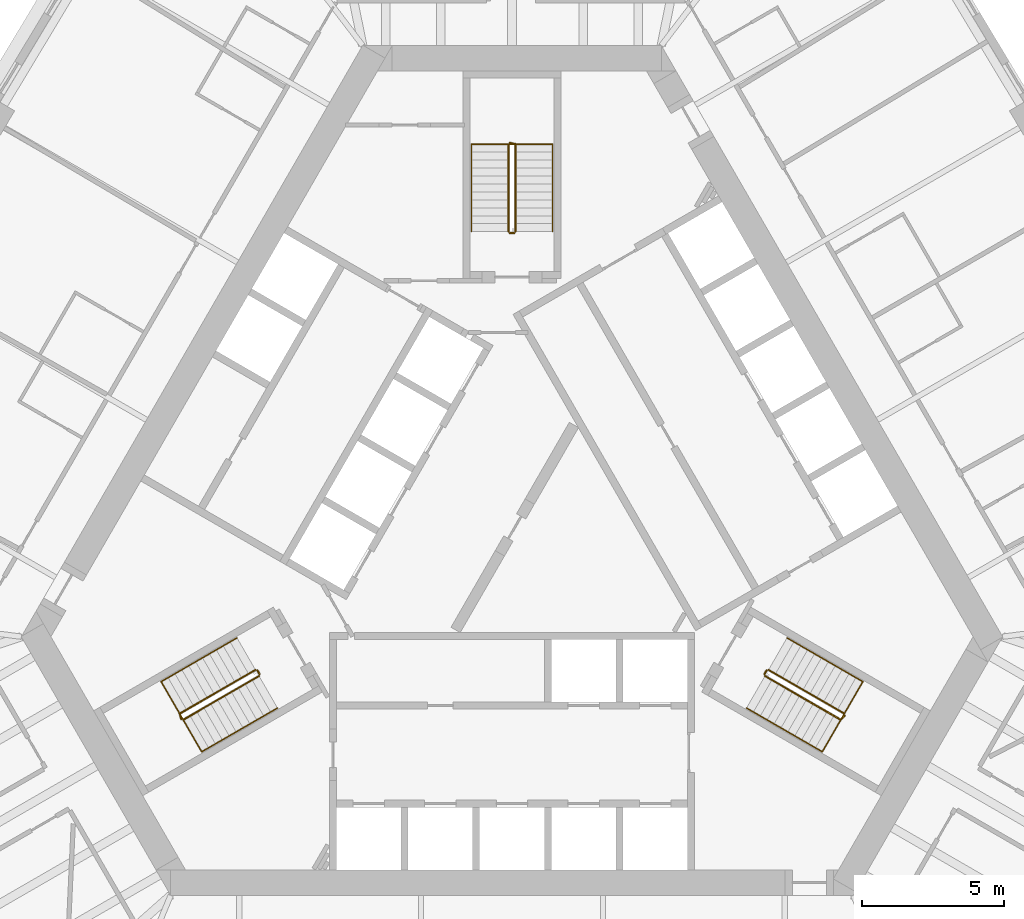
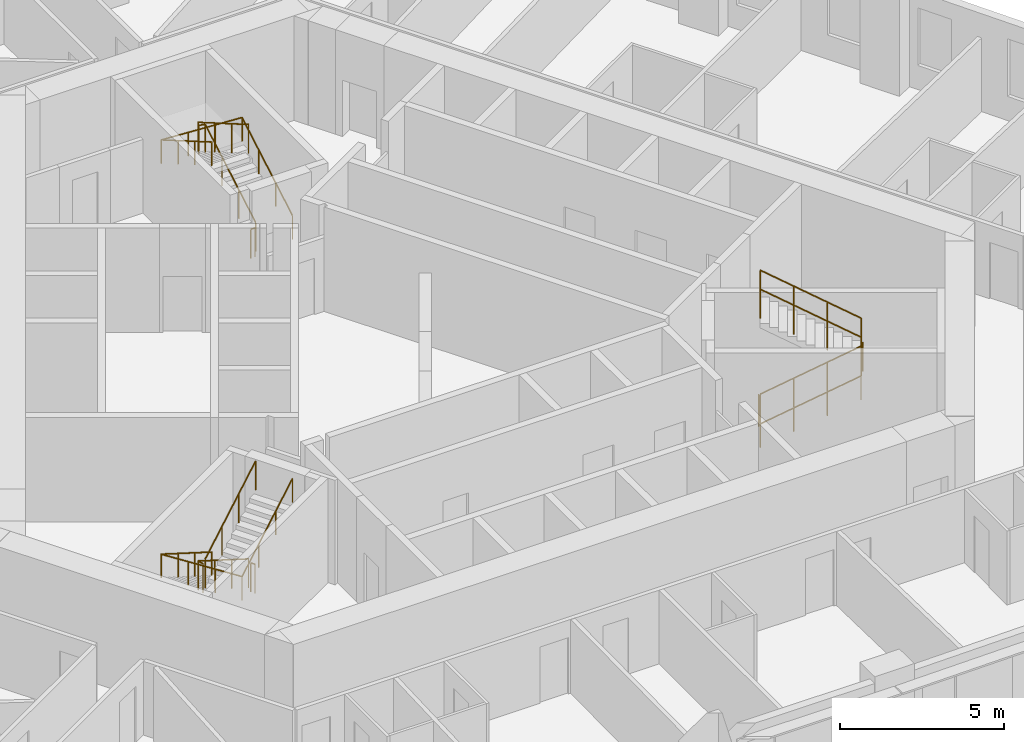
# One storey, part 13 of 13: 12 railings.
"""IFC4 building model written with IfcOpenShell, lengths in metres."""

from ifc_helpers import new_model, si_unit, direction, frame, origin, origin_2d, place, context, subcontext, project, spatial, circle, extrude, material, type_object, element, save


model = new_model("IFC4")

# Units and contexts
model_context = context("Model", 3, precision=1e-05, world=origin(), true_north=direction((0.0, 1.0)))
body_context = subcontext(model_context, "Body", "Model", "MODEL_VIEW")
ifc_project = project(units=[si_unit("LENGTHUNIT", "METRE"), si_unit("AREAUNIT", "SQUARE_METRE"), si_unit("VOLUMEUNIT", "CUBIC_METRE"), si_unit("PLANEANGLEUNIT", "RADIAN"), si_unit("MASSUNIT", "GRAM", prefix="KILO")], contexts=[model_context])

# Site, building, storey
site_placement = place(None, origin())
site = spatial("IfcSite", under=ifc_project, at=site_placement, CompositionType="ELEMENT")
building_placement = place(site_placement, origin())
building = spatial("IfcBuilding", under=site, at=building_placement, Name="Mestral Congress Tower", CompositionType="ELEMENT")
storey_placement = place(building_placement, frame((0.0, 0.0, 31.5)))
storey = spatial("IfcBuildingStorey", under=building, at=storey_placement, Name="L06", CompositionType="ELEMENT", Elevation=31.5)

# Railings
ifc_material_1 = material(Name="Steel balustrade", Category="steel")
railing_type_1 = type_object("IfcRailingType", Name="Stair guard 1100", PredefinedType="GUARDRAIL", material=ifc_material_1)
railing_1_placement = place(storey_placement, frame((8.90087890625, -5.283203125, 0.16259765625)))
element("IfcRailing", 1, at=railing_1_placement, inside=storey, type_object=railing_type_1, Name="L06 ST1 stair guard 1", PredefinedType="GUARDRAIL", context=body_context, shape_type="SweptSolid", body=[
    extrude(circle(Radius=0.02392578125, at=origin_2d()), frame((0.0, 0.0, 1.076171875), z_axis=(0.749019742845, -0.432477486304, 0.501928927906), x_axis=(0.500026652407, 0.866010015463, 0.0)), (0.0, 0.0, 1.0), 3.56103515625),
    extrude(circle(Radius=0.02392578125, at=origin_2d()), frame((2.667236328125, -1.5400390625, 2.86328125), z_axis=(0.695164929852, 0.718850276695, 0.0), x_axis=(-0.718850276695, 0.695164929852, 0.0)), (0.0, 0.0, 1.0), 0.2060546875),
    extrude(circle(Radius=0.02099609375, at=origin_2d()), origin(), (0.0, 0.0, 1.0), 1.052001953125),
    extrude(circle(Radius=0.02099609375, at=origin_2d()), frame((0.88916015625, -0.513427734375, 0.595703125)), (0.0, 0.0, 1.0), 1.052001953125),
    extrude(circle(Radius=0.02099609375, at=origin_2d()), frame((1.778076171875, -1.026611328125, 1.191650390625)), (0.0, 0.0, 1.0), 1.052001953125),
    extrude(circle(Radius=0.02099609375, at=origin_2d()), frame((2.667236328125, -1.5400390625, 1.787353515625)), (0.0, 0.0, 1.0), 1.052001953125),
    extrude(circle(Radius=0.02099609375, at=origin_2d()), frame((2.810546875, -1.391845703125, 1.787353515625)), (0.0, 0.0, 1.0), 1.052001953125),
])
railing_2_placement = place(storey_placement, frame((11.693115234375, -6.606689453125, 2.112548828125)))
element("IfcRailing", 2, at=railing_2_placement, inside=storey, type_object=railing_type_1, Name="L06 ST1 stair guard 2", PredefinedType="GUARDRAIL", context=body_context, shape_type="SweptSolid", body=[
    extrude(circle(Radius=0.02392578125, at=origin_2d()), frame((0.0, 0.0, 1.076171875), z_axis=(-0.749019742845, 0.432477486304, 0.501928927906), x_axis=(-0.500026652407, -0.866010015463, 0.0)), (0.0, 0.0, 1.0), 3.56103515625),
    extrude(circle(Radius=0.02099609375, at=origin_2d()), origin(), (0.0, 0.0, 1.0), 1.052001953125),
    extrude(circle(Radius=0.02099609375, at=origin_2d()), frame((-0.88916015625, 0.513427734375, 0.595703125)), (0.0, 0.0, 1.0), 1.052001953125),
    extrude(circle(Radius=0.02099609375, at=origin_2d()), frame((-1.778076171875, 1.026611328125, 1.191650390625)), (0.0, 0.0, 1.0), 1.052001953125),
    extrude(circle(Radius=0.02099609375, at=origin_2d()), frame((-2.667236328125, 1.5400390625, 1.787353515625)), (0.0, 0.0, 1.0), 1.052001953125),
])
railing_3_placement = place(storey_placement, frame((8.882568359375, -5.21484375, 0.0)))
element("IfcRailing", 3, at=railing_3_placement, inside=storey, type_object=railing_type_1, Name="L06 ST1 stair guard 3", PredefinedType="GUARDRAIL", context=body_context, shape_type="SweptSolid", body=[
    extrude(circle(Radius=0.02392578125, at=origin_2d()), frame((0.0, 0.0, 1.076171875), z_axis=(0.499816412211, 0.866131372301, 0.0), x_axis=(-0.866131372301, 0.499816412211, 0.0)), (0.0, 0.0, 1.0), 0.14990234375),
    extrude(circle(Radius=0.02099609375, at=origin_2d()), origin(), (0.0, 0.0, 1.0), 1.052001953125),
    extrude(circle(Radius=0.02099609375, at=origin_2d()), frame((0.074951171875, 0.1298828125, 0.0)), (0.0, 0.0, 1.0), 1.052001953125),
])
railing_4_placement = place(storey_placement, frame((0.125, 10.35009765625, 0.16259765625)))
element("IfcRailing", 4, at=railing_4_placement, inside=storey, type_object=railing_type_1, Name="L06 ST2 stair guard 1", PredefinedType="GUARDRAIL", context=body_context, shape_type="SweptSolid", body=[
    extrude(circle(Radius=0.02392578125, at=origin_2d()), frame((0.0, 0.0, 1.076171875), z_axis=(0.0, 0.864903211148, 0.501938676878), x_axis=(-1.0, 0.0, 0.0)), (0.0, 0.0, 1.0), 3.560791015625),
    extrude(circle(Radius=0.02392578125, at=origin_2d()), frame((0.0, 3.079833984375, 2.86328125), z_axis=(-0.970072785993, 0.242814311512, 0.0), x_axis=(-0.242814311512, -0.970072785993, 0.0)), (0.0, 0.0, 1.0), 0.2060546875),
    extrude(circle(Radius=0.02099609375, at=origin_2d()), origin(), (0.0, 0.0, 1.0), 1.052001953125),
    extrude(circle(Radius=0.02099609375, at=origin_2d()), frame((0.0, 1.026611328125, 0.595703125)), (0.0, 0.0, 1.0), 1.052001953125),
    extrude(circle(Radius=0.02099609375, at=origin_2d()), frame((0.0, 2.05322265625, 1.191650390625)), (0.0, 0.0, 1.0), 1.052001953125),
    extrude(circle(Radius=0.02099609375, at=origin_2d()), frame((0.0, 3.079833984375, 1.787353515625)), (0.0, 0.0, 1.0), 1.052001953125),
    extrude(circle(Radius=0.02099609375, at=origin_2d()), frame((-0.199951171875, 3.1298828125, 1.787353515625)), (0.0, 0.0, 1.0), 1.052001953125),
])
railing_5_placement = place(storey_placement, frame((-0.125, 13.429931640625, 2.112548828125)))
element("IfcRailing", 5, at=railing_5_placement, inside=storey, type_object=railing_type_1, Name="L06 ST2 stair guard 2", PredefinedType="GUARDRAIL", context=body_context, shape_type="SweptSolid", body=[
    extrude(circle(Radius=0.02392578125, at=origin_2d()), frame((0.0, 0.0, 1.076171875), z_axis=(0.0, -0.864903211148, 0.501938676878), x_axis=(1.0, 0.0, 0.0)), (0.0, 0.0, 1.0), 3.560791015625),
    extrude(circle(Radius=0.02099609375, at=origin_2d()), origin(), (0.0, 0.0, 1.0), 1.052001953125),
    extrude(circle(Radius=0.02099609375, at=origin_2d()), frame((0.0, -1.026611328125, 0.595703125)), (0.0, 0.0, 1.0), 1.052001953125),
    extrude(circle(Radius=0.02099609375, at=origin_2d()), frame((0.0, -2.05322265625, 1.191650390625)), (0.0, 0.0, 1.0), 1.052001953125),
    extrude(circle(Radius=0.02099609375, at=origin_2d()), frame((0.0, -3.079833984375, 1.787353515625)), (0.0, 0.0, 1.0), 1.052001953125),
])
railing_6_placement = place(storey_placement, frame((0.074951171875, 10.300048828125, 0.0)))
element("IfcRailing", 6, at=railing_6_placement, inside=storey, type_object=railing_type_1, Name="L06 ST2 stair guard 3", PredefinedType="GUARDRAIL", context=body_context, shape_type="SweptSolid", body=[
    extrude(circle(Radius=0.02392578125, at=origin_2d()), frame((0.0, 0.0, 1.076171875), z_axis=(-1.0, 0.0, 0.0), x_axis=(0.0, -1.0, 0.0)), (0.0, 0.0, 1.0), 0.14990234375),
    extrude(circle(Radius=0.02099609375, at=origin_2d()), origin(), (0.0, 0.0, 1.0), 1.052001953125),
    extrude(circle(Radius=0.02099609375, at=origin_2d()), frame((-0.14990234375, 0.0, 0.0)), (0.0, 0.0, 1.0), 1.052001953125),
])
railing_7_placement = place(storey_placement, frame((-9.02587890625, -5.066650390625, 0.16259765625)))
element("IfcRailing", 7, at=railing_7_placement, inside=storey, type_object=railing_type_1, Name="L06 ST3 stair guard 1", PredefinedType="GUARDRAIL", context=body_context, shape_type="SweptSolid", body=[
    extrude(circle(Radius=0.02392578125, at=origin_2d()), frame((0.0, 0.0, 1.076171875), z_axis=(-0.749019742845, -0.432477486304, 0.501928927906), x_axis=(0.500026652407, -0.866010015463, 0.0)), (0.0, 0.0, 1.0), 3.56103515625),
    extrude(circle(Radius=0.02392578125, at=origin_2d()), frame((-2.667236328125, -1.5400390625, 2.86328125), z_axis=(0.274721127897, -0.961523947641, 0.0), x_axis=(0.961523947641, 0.274721127897, 0.0)), (0.0, 0.0, 1.0), 0.2060546875),
    extrude(circle(Radius=0.02099609375, at=origin_2d()), origin(), (0.0, 0.0, 1.0), 1.052001953125),
    extrude(circle(Radius=0.02099609375, at=origin_2d()), frame((-0.88916015625, -0.513427734375, 0.595703125)), (0.0, 0.0, 1.0), 1.052001953125),
    extrude(circle(Radius=0.02099609375, at=origin_2d()), frame((-1.778076171875, -1.026611328125, 1.191650390625)), (0.0, 0.0, 1.0), 1.052001953125),
    extrude(circle(Radius=0.02099609375, at=origin_2d()), frame((-2.667236328125, -1.5400390625, 1.787353515625)), (0.0, 0.0, 1.0), 1.052001953125),
    extrude(circle(Radius=0.02099609375, at=origin_2d()), frame((-2.610595703125, -1.73828125, 1.787353515625)), (0.0, 0.0, 1.0), 1.052001953125),
])
railing_8_placement = place(storey_placement, frame((-11.568115234375, -6.8232421875, 2.112548828125)))
element("IfcRailing", 8, at=railing_8_placement, inside=storey, type_object=railing_type_1, Name="L06 ST3 stair guard 2", PredefinedType="GUARDRAIL", context=body_context, shape_type="SweptSolid", body=[
    extrude(circle(Radius=0.02392578125, at=origin_2d()), frame((0.0, 0.0, 1.076171875), z_axis=(0.749019742845, 0.432477486304, 0.501928927906), x_axis=(-0.500026652407, 0.866010015463, 0.0)), (0.0, 0.0, 1.0), 3.56103515625),
    extrude(circle(Radius=0.02099609375, at=origin_2d()), origin(), (0.0, 0.0, 1.0), 1.052001953125),
    extrude(circle(Radius=0.02099609375, at=origin_2d()), frame((0.88916015625, 0.513427734375, 0.595703125)), (0.0, 0.0, 1.0), 1.052001953125),
    extrude(circle(Radius=0.02099609375, at=origin_2d()), frame((1.778076171875, 1.026611328125, 1.191650390625)), (0.0, 0.0, 1.0), 1.052001953125),
    extrude(circle(Radius=0.02099609375, at=origin_2d()), frame((2.667236328125, 1.5400390625, 1.787353515625)), (0.0, 0.0, 1.0), 1.052001953125),
])
railing_9_placement = place(storey_placement, frame((-8.95751953125, -5.0849609375, 0.0)))
element("IfcRailing", 9, at=railing_9_placement, inside=storey, type_object=railing_type_1, Name="L06 ST3 stair guard 3", PredefinedType="GUARDRAIL", context=body_context, shape_type="SweptSolid", body=[
    extrude(circle(Radius=0.02392578125, at=origin_2d()), frame((0.0, 0.0, 1.076171875), z_axis=(0.499816412211, -0.866131372301, 0.0), x_axis=(0.866131372301, 0.499816412211, 0.0)), (0.0, 0.0, 1.0), 0.14990234375),
    extrude(circle(Radius=0.02099609375, at=origin_2d()), origin(), (0.0, 0.0, 1.0), 1.052001953125),
    extrude(circle(Radius=0.02099609375, at=origin_2d()), frame((0.074951171875, -0.1298828125, 0.0)), (0.0, 0.0, 1.0), 1.052001953125),
])
ifc_material_2 = material(Name="Steel handrail", Category="steel")
railing_type_2 = type_object("IfcRailingType", Name="Stair handrail 900", PredefinedType="HANDRAIL", material=ifc_material_2)
railing_10_placement = place(storey_placement, frame((8.2509765625, -6.4091796875, 0.16259765625)))
element("IfcRailing", 10, at=railing_10_placement, inside=storey, type_object=railing_type_2, Name="L06 ST1 stair handrail 1", PredefinedType="HANDRAIL", context=body_context, shape_type="SweptSolid", body=[
    extrude(circle(Radius=0.02392578125, at=origin_2d()), frame((0.0, 0.0, 0.8759765625), z_axis=(0.749041951051, -0.432421746936, 0.501943809945), x_axis=(0.499967199496, 0.866044340336, 0.0)), (0.0, 0.0, 1.0), 3.560791015625),
    extrude(circle(Radius=0.02392578125, at=origin_2d()), frame((2.667236328125, -1.539794921875, 2.6630859375), z_axis=(0.499224505807, 0.864598343191, 0.056961370716), x_axis=(-0.866004402611, 0.500036373335, 0.0)), (0.0, 0.0, 1.0), 2.8544921875),
    extrude(circle(Radius=0.02392578125, at=origin_2d()), frame((4.09228515625, 0.92822265625, 2.82568359375), z_axis=(-0.749049836341, 0.432455278019, 0.501903153199), x_axis=(-0.499992328818, -0.866029832698, 0.0)), (0.0, 0.0, 1.0), 3.56103515625),
    extrude(circle(Radius=0.02099609375, at=origin_2d()), origin(), (0.0, 0.0, 1.0), 0.851806640625),
    extrude(circle(Radius=0.02099609375, at=origin_2d()), frame((0.88916015625, -0.51318359375, 0.595703125)), (0.0, 0.0, 1.0), 0.851806640625),
    extrude(circle(Radius=0.02099609375, at=origin_2d()), frame((1.778076171875, -1.026611328125, 1.191650390625)), (0.0, 0.0, 1.0), 0.851806640625),
    extrude(circle(Radius=0.02099609375, at=origin_2d()), frame((2.667236328125, -1.539794921875, 1.787353515625)), (0.0, 0.0, 1.0), 0.851806640625),
    extrude(circle(Radius=0.02099609375, at=origin_2d()), frame((3.142333984375, -0.717041015625, 1.841552734375)), (0.0, 0.0, 1.0), 0.851806640625),
    extrude(circle(Radius=0.02099609375, at=origin_2d()), frame((3.6171875, 0.10546875, 1.895751953125)), (0.0, 0.0, 1.0), 0.851806640625),
    extrude(circle(Radius=0.02099609375, at=origin_2d()), frame((4.09228515625, 0.92822265625, 1.949951171875)), (0.0, 0.0, 1.0), 0.851806640625),
    extrude(circle(Radius=0.02099609375, at=origin_2d()), frame((3.203125, 1.441650390625, 2.545654296875)), (0.0, 0.0, 1.0), 0.851806640625),
    extrude(circle(Radius=0.02099609375, at=origin_2d()), frame((2.31396484375, 1.954833984375, 3.1416015625)), (0.0, 0.0, 1.0), 0.851806640625),
    extrude(circle(Radius=0.02099609375, at=origin_2d()), frame((1.4248046875, 2.46826171875, 3.7373046875)), (0.0, 0.0, 1.0), 0.851806640625),
])
railing_11_placement = place(storey_placement, frame((1.425048828125, 10.35009765625, 0.16259765625)))
element("IfcRailing", 11, at=railing_11_placement, inside=storey, type_object=railing_type_2, Name="L06 ST2 stair handrail 1", PredefinedType="HANDRAIL", context=body_context, shape_type="SweptSolid", body=[
    extrude(circle(Radius=0.02392578125, at=origin_2d()), frame((0.0, 0.0, 0.8759765625), z_axis=(0.0, 0.864903211148, 0.501938676878), x_axis=(-1.0, 0.0, 0.0)), (0.0, 0.0, 1.0), 3.560791015625),
    extrude(circle(Radius=0.02392578125, at=origin_2d()), frame((0.0, 3.079833984375, 2.6630859375), z_axis=(-0.998376618682, 0.0, 0.056957240709), x_axis=(0.0, -1.0, 0.0)), (0.0, 0.0, 1.0), 2.854736328125),
    extrude(circle(Radius=0.02392578125, at=origin_2d()), frame((-2.85009765625, 3.079833984375, 2.82568359375), z_axis=(0.0, -0.864903211148, 0.501938676878), x_axis=(1.0, 0.0, 0.0)), (0.0, 0.0, 1.0), 3.560791015625),
    extrude(circle(Radius=0.02099609375, at=origin_2d()), origin(), (0.0, 0.0, 1.0), 0.851806640625),
    extrude(circle(Radius=0.02099609375, at=origin_2d()), frame((0.0, 1.026611328125, 0.595703125)), (0.0, 0.0, 1.0), 0.851806640625),
    extrude(circle(Radius=0.02099609375, at=origin_2d()), frame((0.0, 2.05322265625, 1.191650390625)), (0.0, 0.0, 1.0), 0.851806640625),
    extrude(circle(Radius=0.02099609375, at=origin_2d()), frame((0.0, 3.079833984375, 1.787353515625)), (0.0, 0.0, 1.0), 0.851806640625),
    extrude(circle(Radius=0.02099609375, at=origin_2d()), frame((-0.949951171875, 3.079833984375, 1.841552734375)), (0.0, 0.0, 1.0), 0.851806640625),
    extrude(circle(Radius=0.02099609375, at=origin_2d()), frame((-1.900146484375, 3.079833984375, 1.895751953125)), (0.0, 0.0, 1.0), 0.851806640625),
    extrude(circle(Radius=0.02099609375, at=origin_2d()), frame((-2.85009765625, 3.079833984375, 1.949951171875)), (0.0, 0.0, 1.0), 0.851806640625),
    extrude(circle(Radius=0.02099609375, at=origin_2d()), frame((-2.85009765625, 2.05322265625, 2.545654296875)), (0.0, 0.0, 1.0), 0.851806640625),
    extrude(circle(Radius=0.02099609375, at=origin_2d()), frame((-2.85009765625, 1.026611328125, 3.1416015625)), (0.0, 0.0, 1.0), 0.851806640625),
    extrude(circle(Radius=0.02099609375, at=origin_2d()), frame((-2.85009765625, 0.0, 3.7373046875)), (0.0, 0.0, 1.0), 0.851806640625),
])
railing_12_placement = place(storey_placement, frame((-9.67578125, -3.94091796875, 0.16259765625)))
element("IfcRailing", 12, at=railing_12_placement, inside=storey, type_object=railing_type_2, Name="L06 ST3 stair handrail 1", PredefinedType="HANDRAIL", context=body_context, shape_type="SweptSolid", body=[
    extrude(circle(Radius=0.02392578125, at=origin_2d()), frame((0.0, 0.0, 0.8759765625), z_axis=(-0.749049836341, -0.432455278019, 0.501903153199), x_axis=(0.499992328818, -0.866029832698, 0.0)), (0.0, 0.0, 1.0), 3.56103515625),
    extrude(circle(Radius=0.02392578125, at=origin_2d()), frame((-2.66748046875, -1.5400390625, 2.6630859375), z_axis=(0.499224505807, -0.864598343191, 0.056961370716), x_axis=(0.866004402611, 0.500036373335, 0.0)), (0.0, 0.0, 1.0), 2.8544921875),
    extrude(circle(Radius=0.02392578125, at=origin_2d()), frame((-1.242431640625, -4.008056640625, 2.82568359375), z_axis=(0.749041951051, 0.432421746936, 0.501943809945), x_axis=(-0.499967199496, 0.866044340336, 0.0)), (0.0, 0.0, 1.0), 3.560791015625),
    extrude(circle(Radius=0.02099609375, at=origin_2d()), origin(), (0.0, 0.0, 1.0), 0.851806640625),
    extrude(circle(Radius=0.02099609375, at=origin_2d()), frame((-0.88916015625, -0.513427734375, 0.595703125)), (0.0, 0.0, 1.0), 0.851806640625),
    extrude(circle(Radius=0.02099609375, at=origin_2d()), frame((-1.7783203125, -1.026611328125, 1.191650390625)), (0.0, 0.0, 1.0), 0.851806640625),
    extrude(circle(Radius=0.02099609375, at=origin_2d()), frame((-2.66748046875, -1.5400390625, 1.787353515625)), (0.0, 0.0, 1.0), 0.851806640625),
    extrude(circle(Radius=0.02099609375, at=origin_2d()), frame((-2.1923828125, -2.36279296875, 1.841552734375)), (0.0, 0.0, 1.0), 0.851806640625),
    extrude(circle(Radius=0.02099609375, at=origin_2d()), frame((-1.717529296875, -3.185302734375, 1.895751953125)), (0.0, 0.0, 1.0), 0.851806640625),
    extrude(circle(Radius=0.02099609375, at=origin_2d()), frame((-1.242431640625, -4.008056640625, 1.949951171875)), (0.0, 0.0, 1.0), 0.851806640625),
    extrude(circle(Radius=0.02099609375, at=origin_2d()), frame((-0.353271484375, -3.494873046875, 2.545654296875)), (0.0, 0.0, 1.0), 0.851806640625),
    extrude(circle(Radius=0.02099609375, at=origin_2d()), frame((0.53564453125, -2.9814453125, 3.1416015625)), (0.0, 0.0, 1.0), 0.851806640625),
    extrude(circle(Radius=0.02099609375, at=origin_2d()), frame((1.4248046875, -2.46826171875, 3.7373046875)), (0.0, 0.0, 1.0), 0.851806640625),
])

save(model, "model.ifc")
